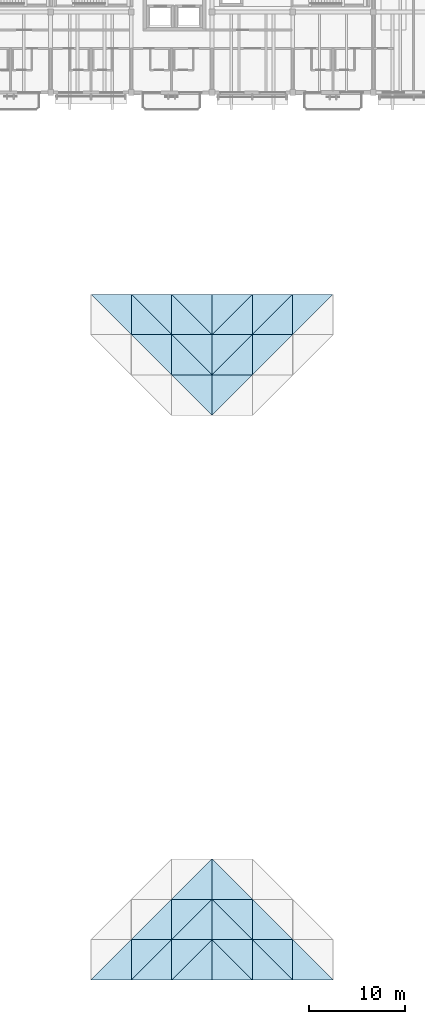
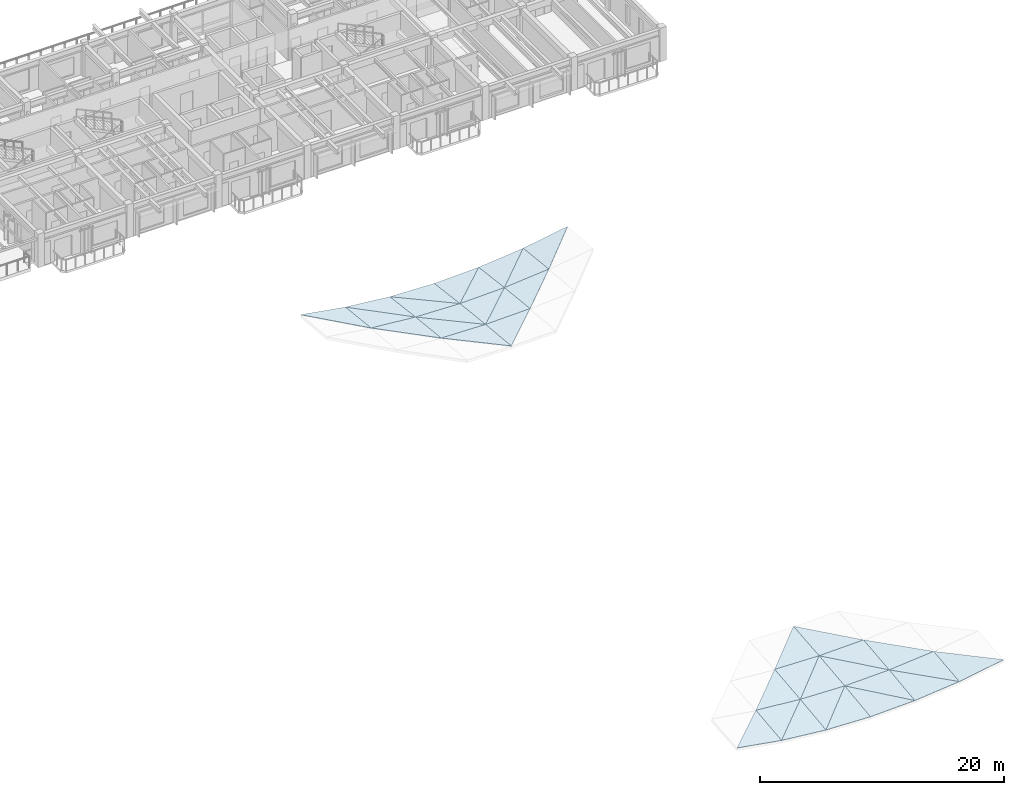
# One storey, part 16 of 22: 36 roofs.
"""IFC4 building model written with IfcOpenShell, lengths in metres."""

from ifc_helpers import new_model, si_unit, direction, frame, origin, place, context, subcontext, project, spatial, polyline, outline, extrude, material, layer, layer_set, type_object, element, save


model = new_model("IFC4")

# Units and contexts
model_context = context("Model", 3, precision=1e-05, world=origin(), true_north=direction((0.0, 1.0)))
body_context = subcontext(model_context, "Body", "Model", "MODEL_VIEW")
ifc_project = project(units=[si_unit("LENGTHUNIT", "METRE"), si_unit("AREAUNIT", "SQUARE_METRE"), si_unit("VOLUMEUNIT", "CUBIC_METRE"), si_unit("PLANEANGLEUNIT", "RADIAN"), si_unit("MASSUNIT", "GRAM", prefix="KILO")], contexts=[model_context])

# Site, building, storey
site_placement = place(None, origin())
site = spatial("IfcSite", under=ifc_project, at=site_placement, CompositionType="ELEMENT")
building_placement = place(site_placement, origin())
building = spatial("IfcBuilding", under=site, at=building_placement, Name="Cumbredor Promenade Congress Hotel", CompositionType="ELEMENT")
storey_placement = place(building_placement, frame((0.0, 0.0, 28.56005859375)))
storey = spatial("IfcBuildingStorey", under=building, at=storey_placement, Name="L08", CompositionType="ELEMENT", Elevation=28.56005859375)

# Roofs
ifc_material = material(Name="Standing-seam zinc-aluminium roofing", Category="aluminium")
ifc_layer = layer(ifc_material, 0.050048828125, Name="Standing-seam zinc-aluminium roofing", Category="aluminium")
ifc_layer_set = layer_set([ifc_layer], Name="Standing-seam zinc-aluminium roofing")
roof_type = type_object("IfcRoofType", Name="Sweeping Pavilion Standing-Seam Roof Skin 50mm", PredefinedType="FREEFORM", material=ifc_layer_set)
roof_1_placement = place(storey_placement, frame((21.0, 0.0, 3.37890625), z_axis=(0.167077867042, -0.108404084889, 0.97996609162), x_axis=(0.985775351576, 0.0, -0.168068308212)))
element("IfcRoof", 1, at=roof_1_placement, inside=storey, type_object=roof_type, Name="Plenary Congress Hall Standing-Seam Roof Skin 7.1.1", PredefinedType="FREEFORM", context=body_context, shape_type="SweptSolid", body=[
    extrude(outline(polyline([(0.0, 0.0), (4.260556084264517, 0.0), (4.18247161392087, 4.224848572275312), (0.0, 0.0)])), origin(), (0.0, 0.0, -1.0), 0.050048828125),
])
roof_2_placement = place(storey_placement, frame((25.199951171875, 67.199951171875, 3.12744140625), z_axis=(0.167077867042, 0.108404084889, 0.97996609162), x_axis=(0.0, 0.993937167208, -0.109949568633)))
element("IfcRoof", 2, at=roof_2_placement, inside=storey, type_object=roof_type, Name="Plenary Congress Hall Standing-Seam Roof Skin 7.17.2", PredefinedType="FREEFORM", context=body_context, shape_type="SweptSolid", body=[
    extrude(outline(polyline([(0.0, 0.0), (4.225570096823101, 1.3877787807814457e-17), (4.1468391190884475, 4.2598285857893785), (0.0, 0.0)])), origin(), (0.0, 0.0, -1.0), 0.050048828125),
])
roof_3_placement = place(storey_placement, frame((25.199951171875, 0.0, 2.662841796875), z_axis=(0.101027920148, -0.121061297496, 0.98749051722), x_axis=(0.994807291666, 0.0, -0.101776482784)))
element("IfcRoof", 3, at=roof_3_placement, inside=storey, type_object=roof_type, Name="Plenary Congress Hall Standing-Seam Roof Skin 8.1.1", PredefinedType="FREEFORM", context=body_context, shape_type="SweptSolid", body=[
    extrude(outline(polyline([(0.0, 0.0), (4.221874132869245, 0.0), (4.169470177256119, 4.2310705546679905), (0.0, 0.0)])), origin(), (0.0, 0.0, -1.0), 0.050048828125),
])
roof_4_placement = place(storey_placement, frame((25.199951171875, 0.0, 2.662841796875), z_axis=(0.089425681631, -0.109509055434, 0.989954955664), x_axis=(0.707034036636, 0.707034036636, 0.014343712073)))
element("IfcRoof", 4, at=roof_4_placement, inside=storey, type_object=roof_type, Name="Plenary Congress Hall Standing-Seam Roof Skin 8.1.2", PredefinedType="FREEFORM", context=body_context, shape_type="SweptSolid", body=[
    extrude(outline(polyline([(0.0, 0.0), (5.940239018558652, 6.245004513516506e-17), (2.9761725137513957, 2.999639946986353), (0.0, 0.0)])), origin(), (0.0, 0.0, -1.0), 0.050048828125),
])
roof_5_placement = place(storey_placement, frame((25.199951171875, 4.199951171875, 3.12744140625), z_axis=(0.089457886155, -0.106209652481, 0.9903114643), x_axis=(0.995944768606, 0.0, -0.089966759892)))
element("IfcRoof", 5, at=roof_5_placement, inside=storey, type_object=roof_type, Name="Plenary Congress Hall Standing-Seam Roof Skin 8.2.1", PredefinedType="FREEFORM", context=body_context, shape_type="SweptSolid", body=[
    extrude(outline(polyline([(0.0, 0.0), (4.217052294728701, 6.938893903907228e-18), (4.176527716603719, 4.22384224440657), (0.0, 0.0)])), origin(), (0.0, 0.0, -1.0), 0.050048828125),
])
roof_6_placement = place(storey_placement, frame((29.39990234375, 63.0, 3.198486328125), z_axis=(0.089457886155, 0.106209652481, 0.9903114643), x_axis=(0.0, 0.994297997041, -0.106637203077)))
element("IfcRoof", 6, at=roof_6_placement, inside=storey, type_object=roof_type, Name="Plenary Congress Hall Standing-Seam Roof Skin 8.16.2", PredefinedType="FREEFORM", context=body_context, shape_type="SweptSolid", body=[
    extrude(outline(polyline([(0.0, 0.0), (4.224036641302456, 0.0), (4.183579069627091, 4.216858219263569), (0.0, 0.0)])), origin(), (0.0, 0.0, -1.0), 0.050048828125),
])
roof_7_placement = place(storey_placement, frame((25.199951171875, 67.199951171875, 3.12744140625), z_axis=(0.089425681631, 0.109509055434, 0.989954955664), x_axis=(0.995944768606, 0.0, -0.089966759892)))
element("IfcRoof", 7, at=roof_7_placement, inside=storey, type_object=roof_type, Name="Plenary Congress Hall Standing-Seam Roof Skin 8.17.1", PredefinedType="FREEFORM", context=body_context, shape_type="SweptSolid", body=[
    extrude(outline(polyline([(0.0, 0.0), (4.217052294728701, -6.938893903907228e-18), (0.0417985215023522, 4.225363360323678), (0.0, 0.0)])), origin(), (0.0, 0.0, -1.0), 0.050048828125),
])
roof_8_placement = place(storey_placement, frame((29.39990234375, 67.199951171875, 2.748046875), z_axis=(0.101027920148, 0.121061297496, 0.98749051722), x_axis=(0.0, 0.992568905848, -0.121683882022)))
element("IfcRoof", 8, at=roof_8_placement, inside=storey, type_object=roof_type, Name="Plenary Congress Hall Standing-Seam Roof Skin 8.17.2", PredefinedType="FREEFORM", context=body_context, shape_type="SweptSolid", body=[
    extrude(outline(polyline([(0.0, 0.0), (4.231395067013053, 0.0), (4.179109023956511, 4.2215503506996015), (0.0, 0.0)])), origin(), (0.0, 0.0, -1.0), 0.050048828125),
])
roof_9_placement = place(storey_placement, frame((29.39990234375, 0.0, 2.233154296875), z_axis=(0.033830629828, -0.125474552512, 0.991519856159), x_axis=(0.999418421496, 0.0, -0.034100128657)))
element("IfcRoof", 9, at=roof_9_placement, inside=storey, type_object=roof_type, Name="Plenary Congress Hall Standing-Seam Roof Skin 9.1.1", PredefinedType="FREEFORM", context=body_context, shape_type="SweptSolid", body=[
    extrude(outline(polyline([(0.0, 0.0), (4.202639477280033, 0.0), (4.184515458704182, 4.233408483433125), (0.0, 0.0)])), origin(), (0.0, 0.0, -1.0), 0.050048828125),
])
roof_10_placement = place(storey_placement, frame((29.39990234375, 0.0, 2.233154296875), z_axis=(0.029929811638, -0.121629367989, 0.992124237794), x_axis=(0.705622078045, 0.705581063044, 0.065213851668)))
element("IfcRoof", 10, at=roof_10_placement, inside=storey, type_object=roof_type, Name="Plenary Congress Hall Standing-Seam Roof Skin 9.1.2", PredefinedType="FREEFORM", context=body_context, shape_type="SweptSolid", body=[
    extrude(outline(polyline([(0.0, 0.0), (5.95247150448768, -1.0408340855860843e-16), (2.9969841407987334, 2.9871039943301727), (0.0, 0.0)])), origin(), (0.0, 0.0, -1.0), 0.050048828125),
])
roof_11_placement = place(storey_placement, frame((29.39990234375, 4.199951171875, 2.748046875), z_axis=(0.029970652366, -0.110014280545, 0.993478041062), x_axis=(0.999545274252, 0.0, -0.030153685035)))
element("IfcRoof", 11, at=roof_11_placement, inside=storey, type_object=roof_type, Name="Plenary Congress Hall Standing-Seam Roof Skin 9.2.1", PredefinedType="FREEFORM", context=body_context, shape_type="SweptSolid", body=[
    extrude(outline(polyline([(0.0, 0.0), (4.202106118349264, 1.734723475976807e-18), (4.188082004581915, 4.225600539139171), (0.0, 0.0)])), origin(), (0.0, 0.0, -1.0), 0.050048828125),
])
roof_12_placement = place(storey_placement, frame((29.39990234375, 4.199951171875, 2.748046875), z_axis=(0.026518384248, -0.106599701526, 0.993948328099), x_axis=(0.70598267622, 0.705941640259, 0.056875842202)))
element("IfcRoof", 12, at=roof_12_placement, inside=storey, type_object=roof_type, Name="Plenary Congress Hall Standing-Seam Roof Skin 9.2.2", PredefinedType="FREEFORM", context=body_context, shape_type="SweptSolid", body=[
    extrude(outline(polyline([(0.0, 0.0), (5.949431131921448, 0.0), (2.9905395425374577, 2.983145787853083), (0.0, 0.0)])), origin(), (0.0, 0.0, -1.0), 0.050048828125),
])
roof_13_placement = place(storey_placement, frame((29.39990234375, 8.39990234375, 3.198486328125), z_axis=(0.026551094754, -0.094461737982, 0.995174366342), x_axis=(0.99964428291, 0.0, -0.026670351422)))
element("IfcRoof", 13, at=roof_13_placement, inside=storey, type_object=roof_type, Name="Plenary Congress Hall Standing-Seam Roof Skin 9.3.1", PredefinedType="FREEFORM", context=body_context, shape_type="SweptSolid", body=[
    extrude(outline(polyline([(0.0, 0.0), (4.2016899254124995, -1.734723475976807e-18), (4.191056945951724, 4.219060873401355), (0.0, 0.0)])), origin(), (0.0, 0.0, -1.0), 0.050048828125),
])
roof_14_placement = place(storey_placement, frame((33.60009765625, 58.800048828125, 3.485107421875), z_axis=(0.026551080982, 0.094467179985, 0.995173850141), x_axis=(0.0, 0.995524814543, -0.094500495387)))
element("IfcRoof", 14, at=roof_14_placement, inside=storey, type_object=roof_type, Name="Plenary Congress Hall Standing-Seam Roof Skin 9.15.2", PredefinedType="FREEFORM", context=body_context, shape_type="SweptSolid", body=[
    extrude(outline(polyline([(0.0, 0.0), (4.218831224012834, 0.0), (4.208241446819764, 4.201676580358357), (0.0, 0.0)])), origin(), (0.0, 0.0, -1.0), 0.050048828125),
])
roof_15_placement = place(storey_placement, frame((29.39990234375, 63.0, 3.198486328125), z_axis=(0.026518384248, 0.106599701526, 0.993948328099), x_axis=(0.99964428291, 0.0, -0.026670351422)))
element("IfcRoof", 15, at=roof_15_placement, inside=storey, type_object=roof_type, Name="Plenary Congress Hall Standing-Seam Roof Skin 9.16.1", PredefinedType="FREEFORM", context=body_context, shape_type="SweptSolid", body=[
    extrude(outline(polyline([(0.0, 0.0), (4.2016899254124995, 3.469446951953614e-18), (0.0120133785089598, 4.224019557933242), (0.0, 0.0)])), origin(), (0.0, 0.0, -1.0), 0.050048828125),
])
roof_16_placement = place(storey_placement, frame((33.60009765625, 63.0, 3.08642578125), z_axis=(0.029970652366, 0.110014280545, 0.993478041062), x_axis=(0.0, 0.993924532737, -0.110063723471)))
element("IfcRoof", 16, at=roof_16_placement, inside=storey, type_object=roof_type, Name="Plenary Congress Hall Standing-Seam Roof Skin 9.16.2", PredefinedType="FREEFORM", context=body_context, shape_type="SweptSolid", body=[
    extrude(outline(polyline([(0.0, 0.0), (4.225623811005921, 1.734723475976807e-18), (4.21167774838844, 4.202082976001996), (0.0, 0.0)])), origin(), (0.0, 0.0, -1.0), 0.050048828125),
])
roof_17_placement = place(storey_placement, frame((29.39990234375, 67.199951171875, 2.748046875), z_axis=(0.029929811638, 0.121629367989, 0.992124237794), x_axis=(0.999545274252, 0.0, -0.030153685035)))
element("IfcRoof", 17, at=roof_17_placement, inside=storey, type_object=roof_type, Name="Plenary Congress Hall Standing-Seam Roof Skin 9.17.1", PredefinedType="FREEFORM", context=body_context, shape_type="SweptSolid", body=[
    extrude(outline(polyline([(0.0, 0.0), (4.202106118349264, 1.734723475976807e-18), (0.015525908627474948, 4.2313665829497324), (0.0, 0.0)])), origin(), (0.0, 0.0, -1.0), 0.050048828125),
])
roof_18_placement = place(storey_placement, frame((33.60009765625, 67.199951171875, 2.621337890625), z_axis=(0.033830629828, 0.125474552512, 0.991519856159), x_axis=(0.0, 0.992087746619, -0.125546417741)))
element("IfcRoof", 18, at=roof_18_placement, inside=storey, type_object=roof_type, Name="Plenary Congress Hall Standing-Seam Roof Skin 9.17.2", PredefinedType="FREEFORM", context=body_context, shape_type="SweptSolid", body=[
    extrude(outline(polyline([(0.0, 0.0), (4.23344727942287, 3.469446951953614e-18), (4.215455153638275, 4.202600963617928), (0.0, 0.0)])), origin(), (0.0, 0.0, -1.0), 0.050048828125),
])
roof_19_placement = place(storey_placement, frame((33.60009765625, 0.0, 2.08984375), z_axis=(-0.033832594131, -0.125474544164, 0.991519790191), x_axis=(0.999418353939, 0.0, 0.034102108572)))
element("IfcRoof", 19, at=roof_19_placement, inside=storey, type_object=roof_type, Name="Plenary Congress Hall Standing-Seam Roof Skin 10.1.1", PredefinedType="FREEFORM", context=body_context, shape_type="SweptSolid", body=[
    extrude(outline(polyline([(0.0, 0.0), (4.202395478650219, 0.0), (0.018125070888923525, 4.233408478927845), (0.0, 0.0)])), origin(), (0.0, 0.0, -1.0), 0.050048828125),
])
roof_20_placement = place(storey_placement, frame((37.800048828125, 0.0, 2.233154296875), z_axis=(-0.029931549881, -0.121629361655, 0.992124186131), x_axis=(0.0, 0.992568905848, 0.121683882022)))
element("IfcRoof", 20, at=roof_20_placement, inside=storey, type_object=roof_type, Name="Plenary Congress Hall Standing-Seam Roof Skin 10.1.2", PredefinedType="FREEFORM", context=body_context, shape_type="SweptSolid", body=[
    extrude(outline(polyline([(0.0, 0.0), (4.231395067013053, 0.0), (4.215976625907175, 4.20183380020312), (0.0, 0.0)])), origin(), (0.0, 0.0, -1.0), 0.050048828125),
])
roof_21_placement = place(storey_placement, frame((33.60009765625, 4.199951171875, 2.621337890625), z_axis=(-0.029972392977, -0.110014274801, 0.993477989187), x_axis=(0.99954522142, 0.0, 0.030155436256)))
element("IfcRoof", 21, at=roof_21_placement, inside=storey, type_object=roof_type, Name="Plenary Congress Hall Standing-Seam Roof Skin 10.2.1", PredefinedType="FREEFORM", context=body_context, shape_type="SweptSolid", body=[
    extrude(outline(polyline([(0.0, 0.0), (4.201862088747742, 0.0), (0.014024928239319648, 4.225600536435985), (0.0, 0.0)])), origin(), (0.0, 0.0, -1.0), 0.050048828125),
])
roof_22_placement = place(storey_placement, frame((37.800048828125, 4.199951171875, 2.748046875), z_axis=(-0.026519924661, -0.106599697168, 0.993948287468), x_axis=(0.0, 0.994297997041, 0.106637203077)))
element("IfcRoof", 22, at=roof_22_placement, inside=storey, type_object=roof_type, Name="Plenary Congress Hall Standing-Seam Roof Skin 10.2.2", PredefinedType="FREEFORM", context=body_context, shape_type="SweptSolid", body=[
    extrude(outline(polyline([(0.0, 0.0), (4.224036641302456, 0.0), (4.212086818008381, 4.20142887765857), (0.0, 0.0)])), origin(), (0.0, 0.0, -1.0), 0.050048828125),
])
roof_23_placement = place(storey_placement, frame((33.60009765625, 8.39990234375, 3.08642578125), z_axis=(-0.026552637065, -0.094461734111, 0.99517432556), x_axis=(0.999644241576, 0.0, 0.02667190065)))
element("IfcRoof", 23, at=roof_23_placement, inside=storey, type_object=roof_type, Name="Plenary Congress Hall Standing-Seam Roof Skin 10.3.1", PredefinedType="FREEFORM", context=body_context, shape_type="SweptSolid", body=[
    extrude(outline(polyline([(0.0, 0.0), (4.201445871637538, 0.0), (0.010633597109760407, 4.219060871844696), (0.0, 0.0)])), origin(), (0.0, 0.0, -1.0), 0.050048828125),
])
roof_24_placement = place(storey_placement, frame((33.60009765625, 58.800048828125, 3.485107421875), z_axis=(-0.026552623292, 0.094467176114, 0.995173809359), x_axis=(0.706284926274, 0.706284926274, -0.048199645611)))
element("IfcRoof", 24, at=roof_24_placement, inside=storey, type_object=roof_type, Name="Plenary Congress Hall Standing-Seam Roof Skin 10.15.2", PredefinedType="FREEFORM", context=body_context, shape_type="SweptSolid", body=[
    extrude(outline(polyline([(0.0, 0.0), (5.946539442705381, -1.6306400674181987e-16), (2.985578517570724, 2.980747861212992), (0.0, 0.0)])), origin(), (0.0, 0.0, -1.0), 0.050048828125),
])
roof_25_placement = place(storey_placement, frame((33.60009765625, 63.0, 3.08642578125), z_axis=(-0.026519924661, 0.106599697168, 0.993948287468), x_axis=(0.999644241576, 0.0, 0.02667190065)))
element("IfcRoof", 25, at=roof_25_placement, inside=storey, type_object=roof_type, Name="Plenary Congress Hall Standing-Seam Roof Skin 10.16.1", PredefinedType="FREEFORM", context=body_context, shape_type="SweptSolid", body=[
    extrude(outline(polyline([(0.0, 0.0), (4.201445871637538, 0.0), (4.189431795294912, 4.224019555948502), (0.0, 0.0)])), origin(), (0.0, 0.0, -1.0), 0.050048828125),
])
roof_26_placement = place(storey_placement, frame((33.60009765625, 63.0, 3.08642578125), z_axis=(-0.029972392977, 0.110014274801, 0.993477989187), x_axis=(0.705962092161, 0.705962092161, -0.056877489957)))
element("IfcRoof", 26, at=roof_26_placement, inside=storey, type_object=roof_type, Name="Plenary Congress Hall Standing-Seam Roof Skin 10.16.2", PredefinedType="FREEFORM", context=body_context, shape_type="SweptSolid", body=[
    extrude(outline(polyline([(0.0, 0.0), (5.949258775382302, -9.71445146547012e-17), (2.9914593480984286, 2.9844710688520215), (0.0, 0.0)])), origin(), (0.0, 0.0, -1.0), 0.050048828125),
])
roof_27_placement = place(storey_placement, frame((33.60009765625, 67.199951171875, 2.621337890625), z_axis=(-0.029931549881, 0.121629361655, 0.992124186131), x_axis=(0.99954522142, 0.0, 0.030155436256)))
element("IfcRoof", 27, at=roof_27_placement, inside=storey, type_object=roof_type, Name="Plenary Congress Hall Standing-Seam Roof Skin 10.17.1", PredefinedType="FREEFORM", context=body_context, shape_type="SweptSolid", body=[
    extrude(outline(polyline([(0.0, 0.0), (4.201862088747742, -1.734723475976807e-18), (4.186335278429251, 4.231366579641113), (0.0, 0.0)])), origin(), (0.0, 0.0, -1.0), 0.050048828125),
])
roof_28_placement = place(storey_placement, frame((33.60009765625, 67.199951171875, 2.621337890625), z_axis=(-0.033832594131, 0.125474544164, 0.991519790191), x_axis=(0.705601483622, 0.705601483622, -0.065215739055)))
element("IfcRoof", 28, at=roof_28_placement, inside=storey, type_object=roof_type, Name="Plenary Congress Hall Standing-Seam Roof Skin 10.17.2", PredefinedType="FREEFORM", context=body_context, shape_type="SweptSolid", body=[
    extrude(outline(polyline([(0.0, 0.0), (5.952299235986464, 2.0122792321330962e-16), (2.9981535611997, 2.9888377492126352), (0.0, 0.0)])), origin(), (0.0, 0.0, -1.0), 0.050048828125),
])
roof_29_placement = place(storey_placement, frame((37.800048828125, 0.0, 2.233154296875), z_axis=(-0.101027920148, -0.121061297496, 0.98749051722), x_axis=(0.994807291666, 0.0, 0.101776482784)))
element("IfcRoof", 29, at=roof_29_placement, inside=storey, type_object=roof_type, Name="Plenary Congress Hall Standing-Seam Roof Skin 11.1.1", PredefinedType="FREEFORM", context=body_context, shape_type="SweptSolid", body=[
    extrude(outline(polyline([(0.0, 0.0), (4.221874132869245, 0.0), (0.052403955613126295, 4.2310705546679905), (0.0, 0.0)])), origin(), (0.0, 0.0, -1.0), 0.050048828125),
])
roof_30_placement = place(storey_placement, frame((42.0, 0.0, 2.662841796875), z_axis=(-0.089425681631, -0.109509055434, 0.989954955664), x_axis=(0.0, 0.993937167208, 0.109949568633)))
element("IfcRoof", 30, at=roof_30_placement, inside=storey, type_object=roof_type, Name="Plenary Congress Hall Standing-Seam Roof Skin 11.1.2", PredefinedType="FREEFORM", context=body_context, shape_type="SweptSolid", body=[
    extrude(outline(polyline([(0.0, 0.0), (4.225570096823101, 0.0), (4.183855831770373, 4.216845974963718), (0.0, 0.0)])), origin(), (0.0, 0.0, -1.0), 0.050048828125),
])
roof_31_placement = place(storey_placement, frame((37.800048828125, 4.199951171875, 2.748046875), z_axis=(-0.089457886155, -0.106209652481, 0.9903114643), x_axis=(0.995944768606, 0.0, 0.089966759892)))
element("IfcRoof", 31, at=roof_31_placement, inside=storey, type_object=roof_type, Name="Plenary Congress Hall Standing-Seam Roof Skin 11.2.1", PredefinedType="FREEFORM", context=body_context, shape_type="SweptSolid", body=[
    extrude(outline(polyline([(0.0, 0.0), (4.217052294728701, -6.938893903907228e-18), (0.04052457812498151, 4.22384224440657), (0.0, 0.0)])), origin(), (0.0, 0.0, -1.0), 0.050048828125),
])
roof_32_placement = place(storey_placement, frame((37.800048828125, 63.0, 3.198486328125), z_axis=(-0.089457886155, 0.106209652481, 0.9903114643), x_axis=(0.707056203843, 0.707056203843, -0.011960318277)))
element("IfcRoof", 32, at=roof_32_placement, inside=storey, type_object=roof_type, Name="Plenary Congress Hall Standing-Seam Roof Skin 11.16.2", PredefinedType="FREEFORM", context=body_context, shape_type="SweptSolid", body=[
    extrude(outline(polyline([(0.0, 0.0), (5.94005278370425, -1.7520707107365752e-16), (2.974988931137203, 2.9986540992046518), (0.0, 0.0)])), origin(), (0.0, 0.0, -1.0), 0.050048828125),
])
roof_33_placement = place(storey_placement, frame((37.800048828125, 67.199951171875, 2.748046875), z_axis=(-0.089425681631, 0.109509055434, 0.989954955664), x_axis=(0.995944768606, 0.0, 0.089966759892)))
element("IfcRoof", 33, at=roof_33_placement, inside=storey, type_object=roof_type, Name="Plenary Congress Hall Standing-Seam Roof Skin 11.17.1", PredefinedType="FREEFORM", context=body_context, shape_type="SweptSolid", body=[
    extrude(outline(polyline([(0.0, 0.0), (4.217052294728701, 6.938893903907228e-18), (4.175253773226348, 4.225363360323678), (0.0, 0.0)])), origin(), (0.0, 0.0, -1.0), 0.050048828125),
])
roof_34_placement = place(storey_placement, frame((37.800048828125, 67.199951171875, 2.748046875), z_axis=(-0.101027920148, 0.121061297496, 0.98749051722), x_axis=(0.707034036636, 0.707034036636, -0.014343712073)))
element("IfcRoof", 34, at=roof_34_placement, inside=storey, type_object=roof_type, Name="Plenary Congress Hall Standing-Seam Roof Skin 11.17.2", PredefinedType="FREEFORM", context=body_context, shape_type="SweptSolid", body=[
    extrude(outline(polyline([(0.0, 0.0), (5.940239018558652, -3.0010716134398763e-16), (2.9768939016144254, 3.007126021914153), (0.0, 0.0)])), origin(), (0.0, 0.0, -1.0), 0.050048828125),
])
roof_35_placement = place(storey_placement, frame((42.0, 0.0, 2.662841796875), z_axis=(-0.167077867042, -0.108404084889, 0.97996609162), x_axis=(0.985775351576, 0.0, 0.168068308212)))
element("IfcRoof", 35, at=roof_35_placement, inside=storey, type_object=roof_type, Name="Plenary Congress Hall Standing-Seam Roof Skin 12.1.1", PredefinedType="FREEFORM", context=body_context, shape_type="SweptSolid", body=[
    extrude(outline(polyline([(0.0, 0.0), (4.260556084264517, 0.0), (0.07808447034364714, 4.224848572275312), (0.0, 0.0)])), origin(), (0.0, 0.0, -1.0), 0.050048828125),
])
roof_36_placement = place(storey_placement, frame((42.0, 67.199951171875, 3.12744140625), z_axis=(-0.167077867042, 0.108404084889, 0.97996609162), x_axis=(0.706473921055, 0.706473921055, 0.042298909416)))
element("IfcRoof", 36, at=roof_36_placement, inside=storey, type_object=roof_type, Name="Plenary Congress Hall Standing-Seam Roof Skin 12.17.2", PredefinedType="FREEFORM", context=body_context, shape_type="SweptSolid", body=[
    extrude(outline(polyline([(0.0, 0.0), (5.944948633916914, -1.5959455978986625e-16), (2.947503915843133, 3.0278149397304617), (0.0, 0.0)])), origin(), (0.0, 0.0, -1.0), 0.050048828125),
])

save(model, "model.ifc")
